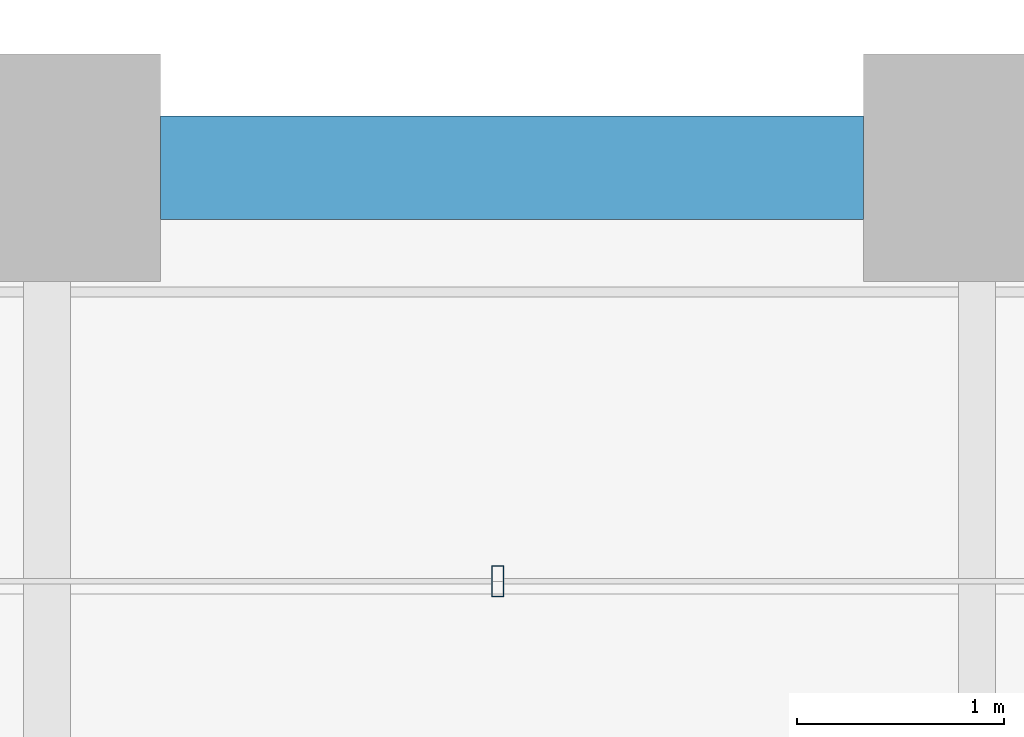
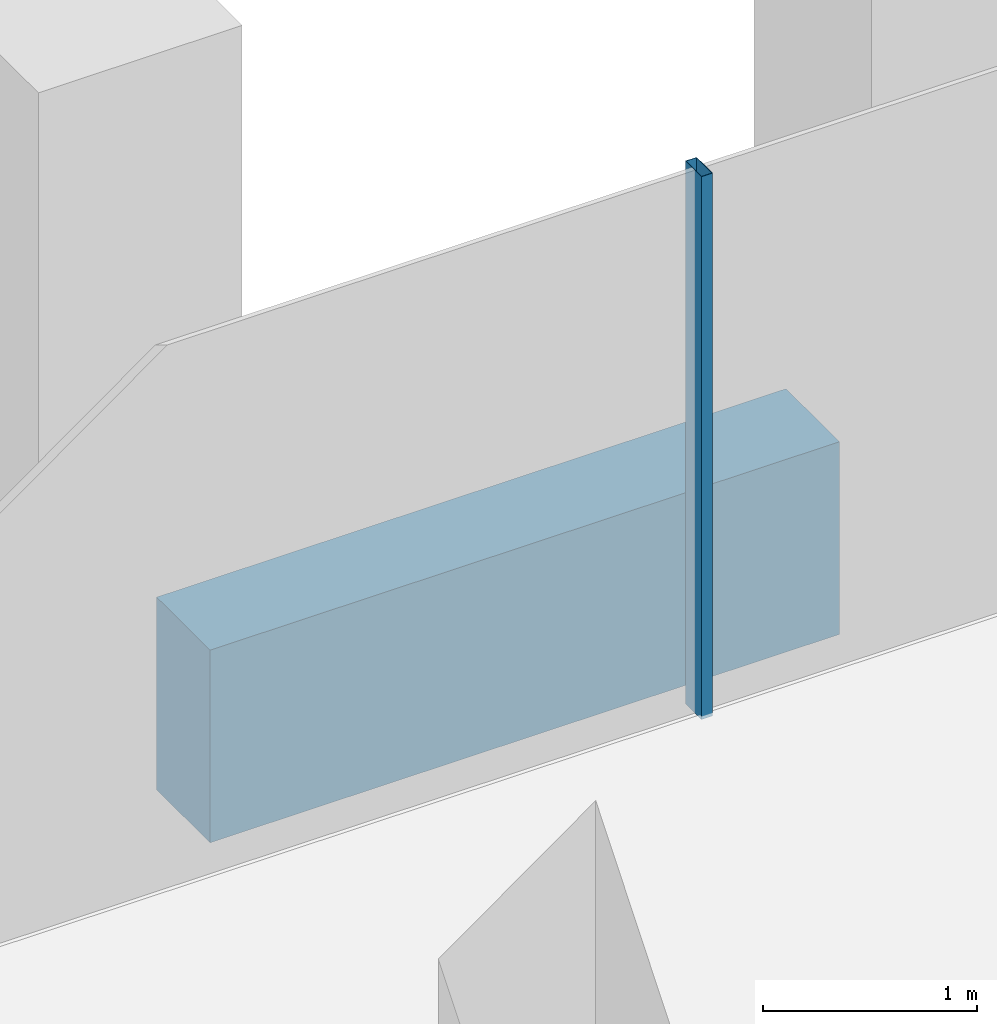
# One storey, part 42 of 56: 1 beam, 1 member, 1 element without a shape of its own.
"""IFC4 building model written with IfcOpenShell, lengths in metres."""

import ifcopenshell
import ifcopenshell.guid

model = None  # the IFC model being written
_history = None  # IfcOwnerHistory: only IFC2X3 demands one
_inside = {}  # id of a spatial element -> (the spatial element, [elements in it])
_under = {}  # id of a project, library or spatial element -> (it, [spatial elements below it])
_declared = {}  # id of a project -> (the project, [libraries it declares])
_typed = {}  # id of a type object -> (the type object, [elements of that type])
_made_of = {}  # id of a material, layer set ... -> (it, [elements and type objects made of it])


def new_model(schema):
    """Start an empty IFC model of exactly this schema.

    Asked for "IFC4X3", IfcOpenShell would pick the latest addendum, in which some entities
    have other attributes; the version numbers below select the first issue.
    IFC2X3 requires an IfcOwnerHistory on every rooted entity: one is made here for all.
    """
    global model, _history
    if schema == "IFC4X3":
        model = ifcopenshell.file(schema_version=(4, 3, 0, 0))
    else:
        model = ifcopenshell.file(schema=schema)
    _inside.clear()
    _under.clear()
    _declared.clear()
    _typed.clear()
    _made_of.clear()
    _history = None
    if model.schema == "IFC2X3":
        org = make("IfcOrganization", Name="unknown")
        user = make(
            "IfcPersonAndOrganization",
            ThePerson=make("IfcPerson", FamilyName="unknown"),
            TheOrganization=org,
        )
        app = make(
            "IfcApplication",
            ApplicationDeveloper=org,
            Version="unknown",
            ApplicationFullName="unknown",
            ApplicationIdentifier="unknown",
        )
        _history = make(
            "IfcOwnerHistory",
            OwningUser=user,
            OwningApplication=app,
            ChangeAction="ADDED",
            CreationDate=0,
        )
    return model


def make(cls, **values):
    """One entity of the class cls with the attributes given. An attribute that is None is left unset."""
    return model.create_entity(
        cls, **{name: value for name, value in values.items() if value is not None}
    )


def rooted(cls, **values):
    """An entity with a GlobalId (a new one), such as an element, a storey or a relation."""
    return make(cls, GlobalId=ifcopenshell.guid.new(), OwnerHistory=_history, **values)


def si_unit(unit_type, name, prefix=None):
    """IfcSIUnit, for example si_unit("LENGTHUNIT", "METRE", prefix="MILLI")."""
    return make("IfcSIUnit", UnitType=unit_type, Prefix=prefix, Name=name)


def assignment(units):
    """IfcUnitAssignment: the units of a project."""
    return None if units is None else make("IfcUnitAssignment", Units=units)


def point(xyz):
    """IfcCartesianPoint."""
    return None if xyz is None else make("IfcCartesianPoint", Coordinates=xyz)


def direction(xyz):
    """IfcDirection."""
    return None if xyz is None else make("IfcDirection", DirectionRatios=xyz)


def frame(location, z_axis=None, x_axis=None):
    """IfcAxis2Placement3D, a coordinate frame: its origin and axes. An axis left out is left unset."""
    return make(
        "IfcAxis2Placement3D",
        Location=point(location),
        Axis=direction(z_axis),
        RefDirection=direction(x_axis),
    )


def frame_2d(location, x_axis=None):
    """IfcAxis2Placement2D, a coordinate frame in the plane: its origin and x axis."""
    return make(
        "IfcAxis2Placement2D", Location=point(location), RefDirection=direction(x_axis)
    )


def origin():
    """The frame at (0, 0, 0) with its axes left unset."""
    return frame((0.0, 0.0, 0.0))


def origin_2d():
    """The frame at (0, 0) in the plane with its x axis left unset."""
    return frame_2d((0.0, 0.0))


def place(relative_to, where):
    """IfcLocalPlacement: puts the frame where relative to a parent placement (None: the world)."""
    return make(
        "IfcLocalPlacement", PlacementRelTo=relative_to, RelativePlacement=where
    )


def context(
    kind, dimensions, precision=None, world=None, true_north=None, identifier=None
):
    """IfcGeometricRepresentationContext, for example the 3D "Model" context."""
    return make(
        "IfcGeometricRepresentationContext",
        ContextIdentifier=identifier,
        ContextType=kind,
        CoordinateSpaceDimension=dimensions,
        Precision=precision,
        WorldCoordinateSystem=world,
        TrueNorth=true_north,
    )


def subcontext(parent, identifier, kind, view, scale=None):
    """IfcGeometricRepresentationSubContext, for example "Body" below "Model"."""
    return make(
        "IfcGeometricRepresentationSubContext",
        ContextIdentifier=identifier,
        ContextType=kind,
        ParentContext=parent,
        TargetScale=scale,
        TargetView=view,
    )


def project(units=None, contexts=None):
    """IfcProject with its units and contexts."""
    return rooted(
        "IfcProject",
        Name="project",
        RepresentationContexts=contexts,
        UnitsInContext=assignment(units),
    )


def spatial(cls, under=None, at=None, **own):
    """A site, building, storey or space (cls), placed at a placement, below another one or the project."""
    s = rooted(cls, ObjectPlacement=at, **own)
    if under is not None:
        _under.setdefault(under.id(), (under, []))[1].append(s)
    return s


def profile(cls, at=None, kind="AREA", **sizes):
    """A parametric profile (cls). Its sizes go by their IFC names, for example OverallWidth=200.0."""
    return make(cls, ProfileType=kind, Position=at, **sizes)


def rectangle(**sizes):
    """IfcRectangleProfileDef."""
    return profile("IfcRectangleProfileDef", **sizes)


def hollow_rectangle(**sizes):
    """IfcRectangleHollowProfileDef."""
    return profile("IfcRectangleHollowProfileDef", **sizes)


def extrude(swept, where, along, depth):
    """IfcExtrudedAreaSolid: the profile swept, set in the frame where, extruded along a direction by depth."""
    return make(
        "IfcExtrudedAreaSolid",
        SweptArea=swept,
        Position=where,
        ExtrudedDirection=direction(along),
        Depth=depth,
    )


def shape(context_of_items, identifier, shape_type, items):
    """IfcShapeRepresentation: the items that make up one representation, for example the "Body"."""
    return make(
        "IfcShapeRepresentation",
        ContextOfItems=context_of_items,
        RepresentationIdentifier=identifier,
        RepresentationType=shape_type,
        Items=items,
    )


def material(Name=None, Category=None):
    """IfcMaterial."""
    return make("IfcMaterial", Name=Name, Category=Category)


def material_profile(
    of_material, cross_section, Name=None, Category=None, Priority=None
):
    """IfcMaterialProfile: a cross section and its material."""
    return make(
        "IfcMaterialProfile",
        Name=Name,
        Material=of_material,
        Profile=cross_section,
        Priority=Priority,
        Category=Category,
    )


def profile_set(profiles, Name=None, composite=None):
    """IfcMaterialProfileSet."""
    return make(
        "IfcMaterialProfileSet",
        Name=Name,
        MaterialProfiles=profiles,
        CompositeProfile=composite,
    )


def made_of(thing, what):
    """Note that an element or type object is made of a material, layer set ...; save() writes the relation."""
    if what is not None:
        _made_of.setdefault(what.id(), (what, []))[1].append(thing)
    return thing


def type_object(cls, material=None, **own):
    """A type object (cls), such as IfcWallType, which elements share."""
    return made_of(rooted(cls, **own), material)


def element(
    cls,
    number,
    at=None,
    inside=None,
    cuts=None,
    type_object=None,
    material=None,
    context=None,
    identifier="Body",
    shape_type=None,
    held_by="IfcProductDefinitionShape",
    body=None,
    shapes=None,
    **own,
):
    """One element of the class cls, such as IfcWall. Its Tag is "e" and its number.

    at: its placement. inside: the storey or other place that contains it. cuts: it is an
    opening in that element (IfcRelVoidsElement). A single representation is given by context,
    identifier, shape_type and body (its items); several are given by shapes. held_by: the class
    of the entity that holds the representations. save() writes the other relations.
    """
    e = rooted(cls, Tag="e%d" % number, ObjectPlacement=at, **own)
    if body is not None:
        shapes = [shape(context, identifier, shape_type, body)]
    if shapes is not None:
        e.Representation = make(held_by, Representations=shapes)
    if inside is not None:
        _inside.setdefault(inside.id(), (inside, []))[1].append(e)
    if cuts is not None:
        rooted(
            "IfcRelVoidsElement", RelatingBuildingElement=cuts, RelatedOpeningElement=e
        )
    if type_object is not None:
        _typed.setdefault(type_object.id(), (type_object, []))[1].append(e)
    return made_of(e, material)


def aggregate(whole, parts):
    """IfcRelAggregates: a whole, such as a stair, and the parts it consists of."""
    return rooted("IfcRelAggregates", RelatingObject=whole, RelatedObjects=parts)


def save(model, path):
    """Write the relations noted so far, then the file.

    IfcRelAggregates (storeys below a building ...), IfcRelContainedInSpatialStructure (elements
    in a storey), IfcRelDefinesByType, IfcRelAssociatesMaterial and IfcRelDeclares: one each for
    every whole, place, type object, material and project.
    """
    for whole, parts in _under.values():
        aggregate(whole, parts)
    for where, things in _inside.values():
        rooted(
            "IfcRelContainedInSpatialStructure",
            RelatedElements=things,
            RelatingStructure=where,
        )
    for kind, things in _typed.values():
        rooted("IfcRelDefinesByType", RelatedObjects=things, RelatingType=kind)
    for what, things in _made_of.values():
        rooted("IfcRelAssociatesMaterial", RelatedObjects=things, RelatingMaterial=what)
    for by, libraries in _declared.values():
        rooted("IfcRelDeclares", RelatingContext=by, RelatedDefinitions=libraries)
    model.write(path)


model = new_model("IFC4")

# Units and contexts
model_context = context("Model", 3, precision=1e-05, world=origin(), true_north=direction((0.0, 1.0)))
body_context = subcontext(model_context, "Body", "Model", "MODEL_VIEW")
ifc_project = project(units=[si_unit("LENGTHUNIT", "METRE"), si_unit("AREAUNIT", "SQUARE_METRE"), si_unit("VOLUMEUNIT", "CUBIC_METRE"), si_unit("PLANEANGLEUNIT", "RADIAN"), si_unit("MASSUNIT", "GRAM", prefix="KILO")], contexts=[model_context])

# Site, building, storey
site_placement = place(None, origin())
site = spatial("IfcSite", under=ifc_project, at=site_placement, CompositionType="ELEMENT")
building_placement = place(site_placement, origin())
building = spatial("IfcBuilding", under=site, at=building_placement, Name="Altepetl Exchange Towers", CompositionType="ELEMENT")
storey_placement = place(building_placement, frame((0.0, 0.0, 79.800048828125)))
storey = spatial("IfcBuildingStorey", under=building, at=storey_placement, Name="L19", CompositionType="ELEMENT", Elevation=79.800048828125)

# Curtain wall, member
ifc_material_1 = material(Name="Aluminium 6063-T6 glazing", Category="aluminium")
curtain_wall_type = type_object("IfcCurtainWallType", Name="Loggia glazing system", PredefinedType="NOTDEFINED", material=ifc_material_1)
curtain_wall_placement = place(storey_placement, origin())
curtain_wall = element("IfcCurtainWall", 1, at=curtain_wall_placement, inside=storey, type_object=curtain_wall_type, Name="CW1 run", PredefinedType="NOTDEFINED")
ifc_material_2 = material(Name="Aluminium 6063-T6", Category="aluminium")
ifc_material_profile_1 = material_profile(ifc_material_2, hollow_rectangle(XDim=0.06005859375, YDim=0.14990234375, WallThickness=0.0029296875, at=origin_2d()), Name="Mullion 60x150 aluminium")
ifc_profile_set_1 = profile_set([ifc_material_profile_1], Name="Aluminium 6063-T6")
member_type = type_object("IfcMemberType", Name="Mullion 60x150 aluminium", PredefinedType="MULLION", material=ifc_profile_set_1)
member_placement = place(storey_placement, frame((105.68115234375, 56.5, 0.0), z_axis=(0.0, 0.0, 1.0), x_axis=(-1.0, 0.0, 0.0)))
member = element("IfcMember", 2, at=member_placement, type_object=member_type, Name="MU1 mullion", PredefinedType="MULLION", context=body_context, shape_type="SweptSolid", body=[
    extrude(hollow_rectangle(XDim=0.06005859375, YDim=0.14990234375, WallThickness=0.0029296875, at=origin_2d()), origin(), (0.0, 0.0, 1.0), 3.099853515625),
])
aggregate(curtain_wall, [member])

# Beam
ifc_material_3 = material(Name="Concrete C50/60 precast with cantera amarilla facing", Category="concrete")
ifc_material_profile_2 = material_profile(ifc_material_3, rectangle(XDim=0.5, YDim=1.10009765625, at=origin_2d()), Name="500 x 1100")
ifc_profile_set_2 = profile_set([ifc_material_profile_2], Name="Concrete C50/60 precast with cantera amarilla facing")
beam_type = type_object("IfcBeamType", Name="Spandrel beam 500x1100 cantera amarilla", PredefinedType="SPANDREL", material=ifc_profile_set_2)
beam_placement = place(storey_placement, frame((107.449951171875, 58.5, -0.699951171875), z_axis=(-1.0, 0.0, 0.0), x_axis=(0.0, -1.0, 0.0)))
element("IfcBeam", 3, at=beam_placement, inside=storey, type_object=beam_type, Name="sp:B:L19:021", PredefinedType="SPANDREL", context=body_context, shape_type="SweptSolid", body=[
    extrude(rectangle(XDim=0.5, YDim=1.10009765625, at=origin_2d()), origin(), (0.0, 0.0, 1.0), 3.39990234375),
])

save(model, "model.ifc")
